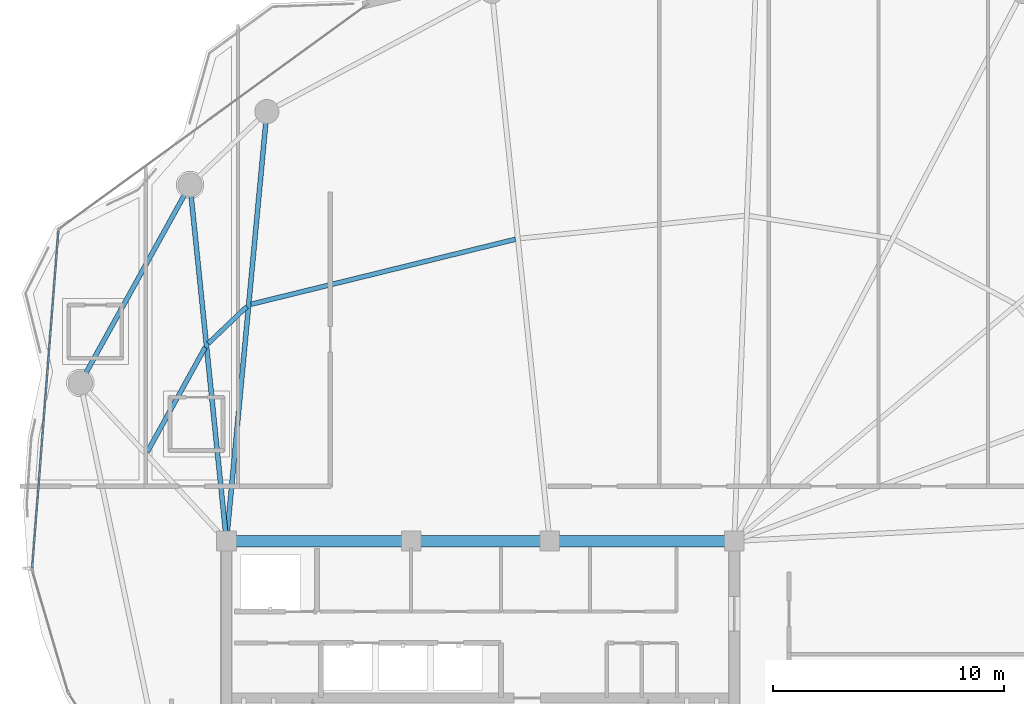
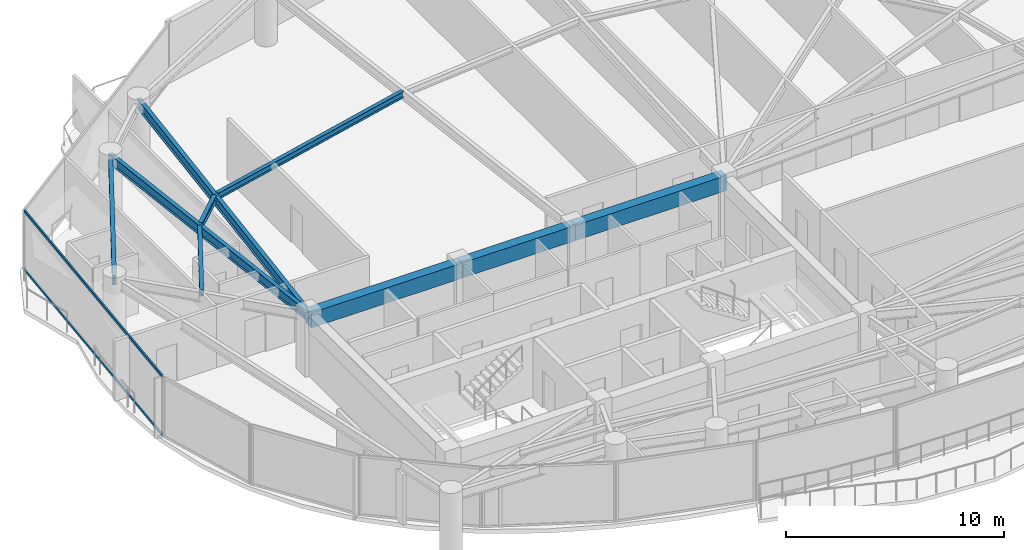
# One storey, part 9 of 31: 9 beams, 2 members, 1 element without a shape of its own.
"""IFC4 building model written with IfcOpenShell, lengths in metres."""

from ifc_helpers import new_model, si_unit, direction, frame, origin, origin_2d, place, context, subcontext, project, spatial, rectangle, hollow_rectangle, i_section, extrude, material, layer, layer_set, material_profile, profile_set, type_object, element, aggregate, save


model = new_model("IFC4")

# Units and contexts
model_context = context("Model", 3, precision=1e-05, world=origin(), true_north=direction((0.0, 1.0)))
body_context = subcontext(model_context, "Body", "Model", "MODEL_VIEW")
ifc_project = project(units=[si_unit("LENGTHUNIT", "METRE"), si_unit("AREAUNIT", "SQUARE_METRE"), si_unit("VOLUMEUNIT", "CUBIC_METRE"), si_unit("PLANEANGLEUNIT", "RADIAN"), si_unit("MASSUNIT", "GRAM", prefix="KILO")], contexts=[model_context])

# Site, building, storey
site_placement = place(None, origin())
site = spatial("IfcSite", under=ifc_project, at=site_placement, CompositionType="ELEMENT")
building_placement = place(site_placement, origin())
building = spatial("IfcBuilding", under=site, at=building_placement, Name="Kazevale Care Tower and Concert Hall", CompositionType="ELEMENT")
storey_placement = place(building_placement, frame((0.0, 0.0, 206.39990234375)))
storey = spatial("IfcBuildingStorey", under=building, at=storey_placement, Name="L54", CompositionType="ELEMENT", Elevation=206.39990234375)

# Curtain wall, members
ifc_material_1 = material(Name="Aluminium 6063-T6 and Low-E Glass", Category="aluminium")
ifc_layer = layer(ifc_material_1, 0.179931640625)
ifc_layer_set = layer_set([ifc_layer], Name="Aluminium 6063-T6 and Low-E Glass")
curtain_wall_type = type_object("IfcCurtainWallType", Name="Waist & Upper Residential Curtain Wall CW-4", PredefinedType="NOTDEFINED", material=ifc_layer_set)
curtain_wall_placement = place(storey_placement, origin())
curtain_wall = element("IfcCurtainWall", 1, at=curtain_wall_placement, inside=storey, type_object=curtain_wall_type, Name="cw:L54:f13", PredefinedType="NOTDEFINED")
ifc_material_2 = material(Name="Aluminium 6063-T6", Category="aluminium")
ifc_material_profile_1 = material_profile(ifc_material_2, hollow_rectangle(XDim=0.080078125, YDim=0.139892578125, WallThickness=0.00390625, at=origin_2d()), Name="ALU80x140x4")
ifc_profile_set_1 = profile_set([ifc_material_profile_1], Name="Aluminium 6063-T6")
member_type = type_object("IfcMemberType", Name="CW-4 Transom ALU80x140x4", PredefinedType="USERDEFINED", material=ifc_profile_set_1)
member_1_placement = place(storey_placement, frame((13.585205078125, 35.23681640625, 0.0400390625), z_axis=(0.077534740898, 0.996989650876, 0.0), x_axis=(-0.996989650876, 0.077534740898, 0.0)))
member_1 = element("IfcMember", 2, at=member_1_placement, type_object=member_type, Name="CW-4 transom 1.1", ObjectType="TRANSOM", PredefinedType="USERDEFINED", context=body_context, shape_type="SweptSolid", body=[
    extrude(hollow_rectangle(XDim=0.080078125, YDim=0.139892578125, WallThickness=0.00390625, at=origin_2d()), origin(), (0.0, 0.0, 1.0), 14.63232421875),
])
member_2_placement = place(storey_placement, frame((13.585205078125, 35.23681640625, 3.320068359375), z_axis=(0.077534740898, 0.996989650876, 0.0), x_axis=(-0.996989650876, 0.077534740898, 0.0)))
member_2 = element("IfcMember", 3, at=member_2_placement, type_object=member_type, Name="CW-4 transom 1.2", ObjectType="TRANSOM", PredefinedType="USERDEFINED", context=body_context, shape_type="SweptSolid", body=[
    extrude(hollow_rectangle(XDim=0.080078125, YDim=0.139892578125, WallThickness=0.00390625, at=origin_2d()), origin(), (0.0, 0.0, 1.0), 14.63232421875),
])
aggregate(curtain_wall, [member_1, member_2])

# Beams
ifc_material_3 = material(Name="Concrete C60", Category="concrete")
ifc_material_profile_2 = material_profile(ifc_material_3, rectangle(XDim=0.5, YDim=0.85009765625, at=origin_2d()), Name="RC-B500x850")
ifc_profile_set_2 = profile_set([ifc_material_profile_2], Name="Concrete C60")
beam_type_1 = type_object("IfcBeamType", Name="Core Coupling Beam RC500x850", PredefinedType="LINTEL", material=ifc_profile_set_2)
beam_1_placement = place(storey_placement, frame((44.0, 36.39990234375, 2.93505859375), z_axis=(-1.0, 0.0, 0.0), x_axis=(0.0, -1.0, 0.0)))
element("IfcBeam", 4, at=beam_1_placement, inside=storey, type_object=beam_type_1, Name="beam:L54:coretie:5", PredefinedType="LINTEL", context=body_context, shape_type="SweptSolid", body=[
    extrude(rectangle(XDim=0.5, YDim=0.85009765625, at=origin_2d()), origin(), (0.0, 0.0, 1.0), 8.0),
])
beam_2_placement = place(storey_placement, frame((36.0, 36.39990234375, 2.93505859375), z_axis=(-1.0, 0.0, 0.0), x_axis=(0.0, -1.0, 0.0)))
element("IfcBeam", 5, at=beam_2_placement, inside=storey, type_object=beam_type_1, Name="beam:L54:coretie:6", PredefinedType="LINTEL", context=body_context, shape_type="SweptSolid", body=[
    extrude(rectangle(XDim=0.5, YDim=0.85009765625, at=origin_2d()), origin(), (0.0, 0.0, 1.0), 6.0),
])
beam_3_placement = place(storey_placement, frame((30.0, 36.39990234375, 2.93505859375), z_axis=(-1.0, 0.0, 0.0), x_axis=(0.0, -1.0, 0.0)))
element("IfcBeam", 6, at=beam_3_placement, inside=storey, type_object=beam_type_1, Name="beam:L54:coretie:7", PredefinedType="LINTEL", context=body_context, shape_type="SweptSolid", body=[
    extrude(rectangle(XDim=0.5, YDim=0.85009765625, at=origin_2d()), origin(), (0.0, 0.0, 1.0), 8.0),
])
ifc_material_4 = material(Name="Steel ASTM A572 Gr 50", Category="steel")
ifc_material_profile_3 = material_profile(ifc_material_4, i_section(OverallWidth=0.2119140625, OverallDepth=0.5439453125, WebThickness=0.01318359375, FlangeThickness=0.021240234375, at=origin_2d()), Name="W530x123")
ifc_profile_set_3 = profile_set([ifc_material_profile_3], Name="Steel ASTM A572 Gr 50")
beam_type_2 = type_object("IfcBeamType", Name="Radial Floor Girder W530x123", PredefinedType="BEAM", material=ifc_profile_set_3)
beam_4_placement = place(storey_placement, frame((22.0, 36.39990234375, 3.088134765625), z_axis=(0.093621904075, 0.995607823933, 0.0), x_axis=(-0.995607823933, 0.093621904075, 0.0)))
element("IfcBeam", 7, at=beam_4_placement, inside=storey, type_object=beam_type_2, Name="beam:L54:rad:07", PredefinedType="BEAM", context=body_context, shape_type="SweptSolid", body=[
    extrude(i_section(OverallWidth=0.2119140625, OverallDepth=0.5439453125, WebThickness=0.01318359375, FlangeThickness=0.021240234375, at=origin_2d()), origin(), (0.0, 0.0, 1.0), 18.692138671875),
])
beam_5_placement = place(storey_placement, frame((22.0, 36.39990234375, 3.088134765625), z_axis=(-0.101869109083, 0.994797810922, 0.0), x_axis=(-0.994797810922, -0.101869109083, 0.0)))
element("IfcBeam", 8, at=beam_5_placement, inside=storey, type_object=beam_type_2, Name="beam:L54:rad:08", PredefinedType="BEAM", context=body_context, shape_type="SweptSolid", body=[
    extrude(i_section(OverallWidth=0.2119140625, OverallDepth=0.5439453125, WebThickness=0.01318359375, FlangeThickness=0.021240234375, at=origin_2d()), origin(), (0.0, 0.0, 1.0), 15.510986328125),
])
ifc_material_profile_4 = material_profile(ifc_material_4, i_section(OverallWidth=0.205078125, OverallDepth=0.35400390625, WebThickness=0.009521484375, FlangeThickness=0.016845703125, at=origin_2d()), Name="W360x79")
ifc_profile_set_4 = profile_set([ifc_material_profile_4], Name="Steel ASTM A572 Gr 50")
beam_type_3 = type_object("IfcBeamType", Name="Secondary Floor Joist W360x79", PredefinedType="JOIST", material=ifc_profile_set_4)
beam_6_placement = place(storey_placement, frame((34.52294921875, 49.47607421875, 3.18310546875), z_axis=(-0.971122715177, -0.238580535809, 0.0), x_axis=(0.238580535809, -0.971122715177, 0.0)))
element("IfcBeam", 9, at=beam_6_placement, inside=storey, type_object=beam_type_3, Name="beam:L54:joist:06", PredefinedType="JOIST", context=body_context, shape_type="SweptSolid", body=[
    extrude(i_section(OverallWidth=0.205078125, OverallDepth=0.35400390625, WebThickness=0.009521484375, FlangeThickness=0.016845703125, at=origin_2d()), origin(), (0.0, 0.0, 1.0), 11.7998046875),
])
beam_7_placement = place(storey_placement, frame((22.886962890625, 46.56298828125, 3.18310546875), z_axis=(-0.723262472539, -0.690573237114, 0.0), x_axis=(0.690573237114, -0.723262472539, 0.0)))
element("IfcBeam", 10, at=beam_7_placement, inside=storey, type_object=beam_type_3, Name="beam:L54:joist:07", PredefinedType="JOIST", context=body_context, shape_type="SweptSolid", body=[
    extrude(i_section(OverallWidth=0.205078125, OverallDepth=0.35400390625, WebThickness=0.009521484375, FlangeThickness=0.016845703125, at=origin_2d()), origin(), (0.0, 0.0, 1.0), 2.32275390625),
])
beam_8_placement = place(storey_placement, frame((21.080078125, 44.794921875, 3.18310546875), z_axis=(-0.484322963201, -0.874889288605, 0.0), x_axis=(0.874889288605, -0.484322963201, 0.0)))
element("IfcBeam", 11, at=beam_8_placement, inside=storey, type_object=beam_type_3, Name="beam:L54:joist:08", PredefinedType="JOIST", context=body_context, shape_type="SweptSolid", body=[
    extrude(i_section(OverallWidth=0.205078125, OverallDepth=0.35400390625, WebThickness=0.009521484375, FlangeThickness=0.016845703125, at=origin_2d()), origin(), (0.0, 0.0, 1.0), 5.1845703125),
])
ifc_material_profile_5 = material_profile(ifc_material_4, i_section(OverallWidth=0.208984375, OverallDepth=0.532958984375, WebThickness=0.01025390625, FlangeThickness=0.015625, at=origin_2d()), Name="W530x92")
ifc_profile_set_5 = profile_set([ifc_material_profile_5], Name="Steel ASTM A572 Gr 50")
beam_type_4 = type_object("IfcBeamType", Name="Upper Ring Beam W530x92", PredefinedType="BEAM", material=ifc_profile_set_5)
beam_9_placement = place(storey_placement, frame((20.419921875, 51.830078125, 3.093505859375), z_axis=(-0.484340382014, -0.874879645637, 0.0), x_axis=(0.874879645637, -0.484340382014, 0.0)))
element("IfcBeam", 12, at=beam_9_placement, inside=storey, type_object=beam_type_4, Name="beam:L54:ring:08", PredefinedType="BEAM", context=body_context, shape_type="SweptSolid", body=[
    extrude(i_section(OverallWidth=0.208984375, OverallDepth=0.532958984375, WebThickness=0.01025390625, FlangeThickness=0.015625, at=origin_2d()), origin(), (0.0, 0.0, 1.0), 9.80712890625),
])

save(model, "model.ifc")
